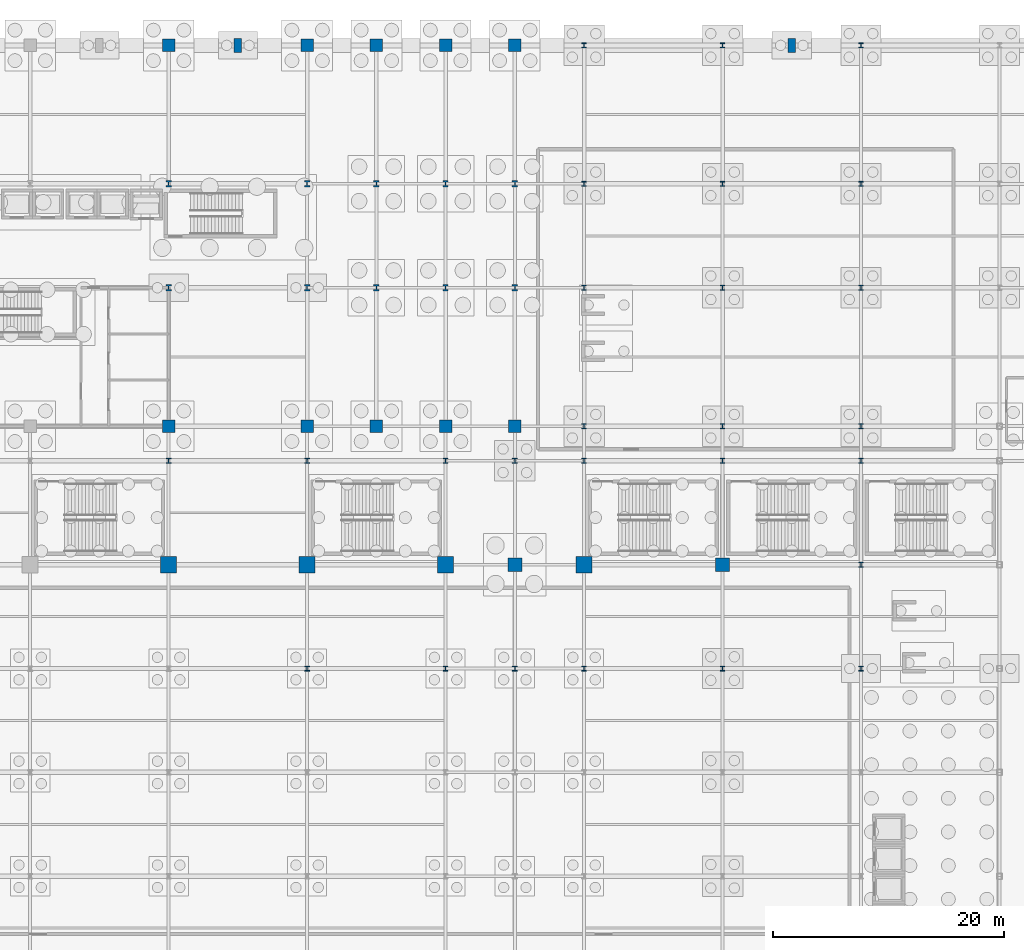
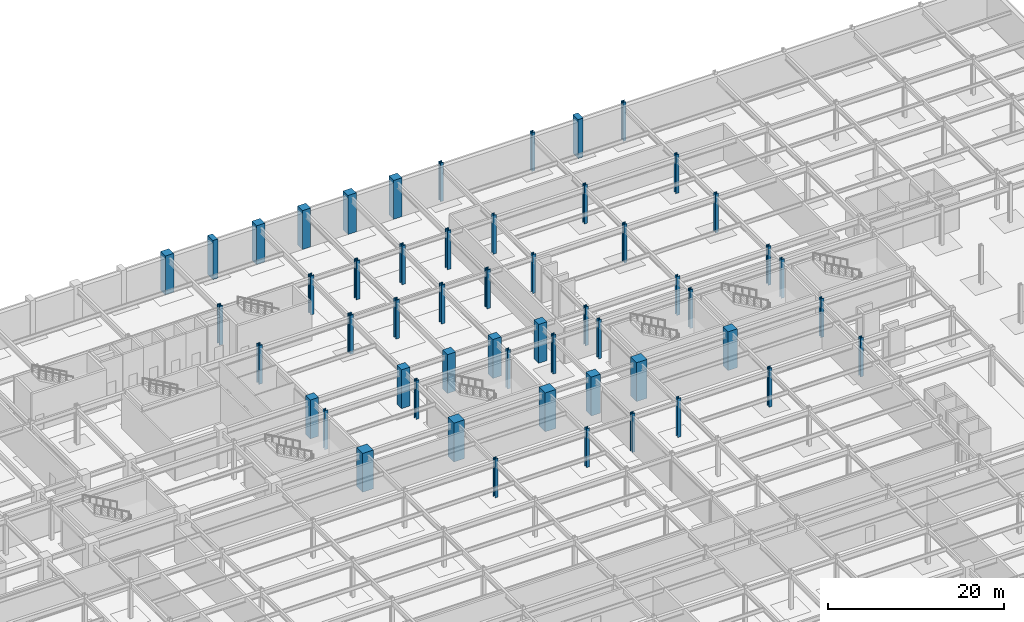
# One storey, part 15 of 47: 54 columns.
"""IFC4 building model written with IfcOpenShell, lengths in metres."""

import ifcopenshell
import ifcopenshell.guid

model = None  # the IFC model being written
_history = None  # IfcOwnerHistory: only IFC2X3 demands one
_inside = {}  # id of a spatial element -> (the spatial element, [elements in it])
_under = {}  # id of a project, library or spatial element -> (it, [spatial elements below it])
_declared = {}  # id of a project -> (the project, [libraries it declares])
_typed = {}  # id of a type object -> (the type object, [elements of that type])
_made_of = {}  # id of a material, layer set ... -> (it, [elements and type objects made of it])


def new_model(schema):
    """Start an empty IFC model of exactly this schema.

    Asked for "IFC4X3", IfcOpenShell would pick the latest addendum, in which some entities
    have other attributes; the version numbers below select the first issue.
    IFC2X3 requires an IfcOwnerHistory on every rooted entity: one is made here for all.
    """
    global model, _history
    if schema == "IFC4X3":
        model = ifcopenshell.file(schema_version=(4, 3, 0, 0))
    else:
        model = ifcopenshell.file(schema=schema)
    _inside.clear()
    _under.clear()
    _declared.clear()
    _typed.clear()
    _made_of.clear()
    _history = None
    if model.schema == "IFC2X3":
        org = make("IfcOrganization", Name="unknown")
        user = make(
            "IfcPersonAndOrganization",
            ThePerson=make("IfcPerson", FamilyName="unknown"),
            TheOrganization=org,
        )
        app = make(
            "IfcApplication",
            ApplicationDeveloper=org,
            Version="unknown",
            ApplicationFullName="unknown",
            ApplicationIdentifier="unknown",
        )
        _history = make(
            "IfcOwnerHistory",
            OwningUser=user,
            OwningApplication=app,
            ChangeAction="ADDED",
            CreationDate=0,
        )
    return model


def make(cls, **values):
    """One entity of the class cls with the attributes given. An attribute that is None is left unset."""
    return model.create_entity(
        cls, **{name: value for name, value in values.items() if value is not None}
    )


def rooted(cls, **values):
    """An entity with a GlobalId (a new one), such as an element, a storey or a relation."""
    return make(cls, GlobalId=ifcopenshell.guid.new(), OwnerHistory=_history, **values)


def si_unit(unit_type, name, prefix=None):
    """IfcSIUnit, for example si_unit("LENGTHUNIT", "METRE", prefix="MILLI")."""
    return make("IfcSIUnit", UnitType=unit_type, Prefix=prefix, Name=name)


def assignment(units):
    """IfcUnitAssignment: the units of a project."""
    return None if units is None else make("IfcUnitAssignment", Units=units)


def point(xyz):
    """IfcCartesianPoint."""
    return None if xyz is None else make("IfcCartesianPoint", Coordinates=xyz)


def direction(xyz):
    """IfcDirection."""
    return None if xyz is None else make("IfcDirection", DirectionRatios=xyz)


def frame(location, z_axis=None, x_axis=None):
    """IfcAxis2Placement3D, a coordinate frame: its origin and axes. An axis left out is left unset."""
    return make(
        "IfcAxis2Placement3D",
        Location=point(location),
        Axis=direction(z_axis),
        RefDirection=direction(x_axis),
    )


def frame_2d(location, x_axis=None):
    """IfcAxis2Placement2D, a coordinate frame in the plane: its origin and x axis."""
    return make(
        "IfcAxis2Placement2D", Location=point(location), RefDirection=direction(x_axis)
    )


def origin():
    """The frame at (0, 0, 0) with its axes left unset."""
    return frame((0.0, 0.0, 0.0))


def origin_2d():
    """The frame at (0, 0) in the plane with its x axis left unset."""
    return frame_2d((0.0, 0.0))


def place(relative_to, where):
    """IfcLocalPlacement: puts the frame where relative to a parent placement (None: the world)."""
    return make(
        "IfcLocalPlacement", PlacementRelTo=relative_to, RelativePlacement=where
    )


def context(
    kind, dimensions, precision=None, world=None, true_north=None, identifier=None
):
    """IfcGeometricRepresentationContext, for example the 3D "Model" context."""
    return make(
        "IfcGeometricRepresentationContext",
        ContextIdentifier=identifier,
        ContextType=kind,
        CoordinateSpaceDimension=dimensions,
        Precision=precision,
        WorldCoordinateSystem=world,
        TrueNorth=true_north,
    )


def subcontext(parent, identifier, kind, view, scale=None):
    """IfcGeometricRepresentationSubContext, for example "Body" below "Model"."""
    return make(
        "IfcGeometricRepresentationSubContext",
        ContextIdentifier=identifier,
        ContextType=kind,
        ParentContext=parent,
        TargetScale=scale,
        TargetView=view,
    )


def project(units=None, contexts=None):
    """IfcProject with its units and contexts."""
    return rooted(
        "IfcProject",
        Name="project",
        RepresentationContexts=contexts,
        UnitsInContext=assignment(units),
    )


def spatial(cls, under=None, at=None, **own):
    """A site, building, storey or space (cls), placed at a placement, below another one or the project."""
    s = rooted(cls, ObjectPlacement=at, **own)
    if under is not None:
        _under.setdefault(under.id(), (under, []))[1].append(s)
    return s


def profile(cls, at=None, kind="AREA", **sizes):
    """A parametric profile (cls). Its sizes go by their IFC names, for example OverallWidth=200.0."""
    return make(cls, ProfileType=kind, Position=at, **sizes)


def rectangle(**sizes):
    """IfcRectangleProfileDef."""
    return profile("IfcRectangleProfileDef", **sizes)


def i_section(**sizes):
    """IfcIShapeProfileDef."""
    return profile("IfcIShapeProfileDef", **sizes)


def extrude(swept, where, along, depth):
    """IfcExtrudedAreaSolid: the profile swept, set in the frame where, extruded along a direction by depth."""
    return make(
        "IfcExtrudedAreaSolid",
        SweptArea=swept,
        Position=where,
        ExtrudedDirection=direction(along),
        Depth=depth,
    )


def shape(context_of_items, identifier, shape_type, items):
    """IfcShapeRepresentation: the items that make up one representation, for example the "Body"."""
    return make(
        "IfcShapeRepresentation",
        ContextOfItems=context_of_items,
        RepresentationIdentifier=identifier,
        RepresentationType=shape_type,
        Items=items,
    )


def material(Name=None, Category=None):
    """IfcMaterial."""
    return make("IfcMaterial", Name=Name, Category=Category)


def material_profile(
    of_material, cross_section, Name=None, Category=None, Priority=None
):
    """IfcMaterialProfile: a cross section and its material."""
    return make(
        "IfcMaterialProfile",
        Name=Name,
        Material=of_material,
        Profile=cross_section,
        Priority=Priority,
        Category=Category,
    )


def profile_set(profiles, Name=None, composite=None):
    """IfcMaterialProfileSet."""
    return make(
        "IfcMaterialProfileSet",
        Name=Name,
        MaterialProfiles=profiles,
        CompositeProfile=composite,
    )


def made_of(thing, what):
    """Note that an element or type object is made of a material, layer set ...; save() writes the relation."""
    if what is not None:
        _made_of.setdefault(what.id(), (what, []))[1].append(thing)
    return thing


def type_object(cls, material=None, **own):
    """A type object (cls), such as IfcWallType, which elements share."""
    return made_of(rooted(cls, **own), material)


def element(
    cls,
    number,
    at=None,
    inside=None,
    cuts=None,
    type_object=None,
    material=None,
    context=None,
    identifier="Body",
    shape_type=None,
    held_by="IfcProductDefinitionShape",
    body=None,
    shapes=None,
    **own,
):
    """One element of the class cls, such as IfcWall. Its Tag is "e" and its number.

    at: its placement. inside: the storey or other place that contains it. cuts: it is an
    opening in that element (IfcRelVoidsElement). A single representation is given by context,
    identifier, shape_type and body (its items); several are given by shapes. held_by: the class
    of the entity that holds the representations. save() writes the other relations.
    """
    e = rooted(cls, Tag="e%d" % number, ObjectPlacement=at, **own)
    if body is not None:
        shapes = [shape(context, identifier, shape_type, body)]
    if shapes is not None:
        e.Representation = make(held_by, Representations=shapes)
    if inside is not None:
        _inside.setdefault(inside.id(), (inside, []))[1].append(e)
    if cuts is not None:
        rooted(
            "IfcRelVoidsElement", RelatingBuildingElement=cuts, RelatedOpeningElement=e
        )
    if type_object is not None:
        _typed.setdefault(type_object.id(), (type_object, []))[1].append(e)
    return made_of(e, material)


def aggregate(whole, parts):
    """IfcRelAggregates: a whole, such as a stair, and the parts it consists of."""
    return rooted("IfcRelAggregates", RelatingObject=whole, RelatedObjects=parts)


def save(model, path):
    """Write the relations noted so far, then the file.

    IfcRelAggregates (storeys below a building ...), IfcRelContainedInSpatialStructure (elements
    in a storey), IfcRelDefinesByType, IfcRelAssociatesMaterial and IfcRelDeclares: one each for
    every whole, place, type object, material and project.
    """
    for whole, parts in _under.values():
        aggregate(whole, parts)
    for where, things in _inside.values():
        rooted(
            "IfcRelContainedInSpatialStructure",
            RelatedElements=things,
            RelatingStructure=where,
        )
    for kind, things in _typed.values():
        rooted("IfcRelDefinesByType", RelatedObjects=things, RelatingType=kind)
    for what, things in _made_of.values():
        rooted("IfcRelAssociatesMaterial", RelatedObjects=things, RelatingMaterial=what)
    for by, libraries in _declared.values():
        rooted("IfcRelDeclares", RelatingContext=by, RelatedDefinitions=libraries)
    model.write(path)


model = new_model("IFC4")

# Units and contexts
model_context = context("Model", 3, precision=1e-05, world=origin(), true_north=direction((0.0, 1.0)))
body_context = subcontext(model_context, "Body", "Model", "MODEL_VIEW")
ifc_project = project(units=[si_unit("LENGTHUNIT", "METRE"), si_unit("AREAUNIT", "SQUARE_METRE"), si_unit("VOLUMEUNIT", "CUBIC_METRE"), si_unit("PLANEANGLEUNIT", "RADIAN"), si_unit("MASSUNIT", "GRAM", prefix="KILO")], contexts=[model_context])

# Site, building, storey
site_placement = place(None, origin())
site = spatial("IfcSite", under=ifc_project, at=site_placement, CompositionType="ELEMENT")
building_placement = place(site_placement, origin())
building = spatial("IfcBuilding", under=site, at=building_placement, Name="Kaldorvane Square Convention Centre", CompositionType="ELEMENT")
storey_placement = place(building_placement, frame((0.0, 0.0, -5.399993896484375)))
storey = spatial("IfcBuildingStorey", under=building, at=storey_placement, Name="B01", CompositionType="ELEMENT", Elevation=-5.399993896484375)

# Columns
ifc_material_1 = material(Name="Concrete f'c = 55 MPa (Normalweight)", Category="concrete")
ifc_material_profile_1 = material_profile(ifc_material_1, rectangle(XDim=1.1999969482421875, YDim=1.1999969482421875, at=origin_2d()), Name="RC1200X1200")
ifc_profile_set_1 = profile_set([ifc_material_profile_1], Name="Concrete f'c = 55 MPa (Normalweight)")
column_type_1 = type_object("IfcColumnType", Name="COL-MEGA-1200", PredefinedType="COLUMN", material=ifc_profile_set_1)
for number, where, z_axis, x_axis, name in (
    (1, (96.0, 72.0, 0.0), (0.0, 0.0, 1.0), (1.0, 0.0, 0.0), "Column MC-02 (B01)"),
    (2, (114.0, 72.0, 0.0), (0.0, 0.0, 1.0), (1.0, 0.0, 0.0), "Column MC-02 (B01)"),
):
    element("IfcColumn", number, at=place(storey_placement, frame(where, z_axis=z_axis, x_axis=x_axis)), inside=storey, type_object=column_type_1, Name=name, PredefinedType="COLUMN", context=body_context, shape_type="SweptSolid", body=[
        extrude(rectangle(XDim=1.1999969482421875, YDim=1.1999969482421875, at=origin_2d()), origin(), (0.0, 0.0, 1.0), 5.399993896484375),
    ])
ifc_material_profile_2 = material_profile(ifc_material_1, rectangle(XDim=1.399993896484375, YDim=1.399993896484375, at=origin_2d()), Name="RC1400X1400")
ifc_profile_set_2 = profile_set([ifc_material_profile_2], Name="Concrete f'c = 55 MPa (Normalweight)")
column_type_2 = type_object("IfcColumnType", Name="COL-MEGA-1400", PredefinedType="COLUMN", material=ifc_profile_set_2)
for number, where, z_axis, x_axis, name in (
    (3, (66.0, 72.0, 0.0), (0.0, 0.0, 1.0), (1.0, 0.0, 0.0), "Column MC-01 (B01)"),
    (4, (78.0, 72.0, 0.0), (0.0, 0.0, 1.0), (1.0, 0.0, 0.0), "Column MC-01 (B01)"),
    (5, (90.0, 72.0, 0.0), (0.0, 0.0, 1.0), (1.0, 0.0, 0.0), "Column MC-01 (B01)"),
    (6, (102.0, 72.0, 0.0), (0.0, 0.0, 1.0), (1.0, 0.0, 0.0), "Column MC-01 (B01)"),
):
    element("IfcColumn", number, at=place(storey_placement, frame(where, z_axis=z_axis, x_axis=x_axis)), inside=storey, type_object=column_type_2, Name=name, PredefinedType="COLUMN", context=body_context, shape_type="SweptSolid", body=[
        extrude(rectangle(XDim=1.399993896484375, YDim=1.399993896484375, at=origin_2d()), origin(), (0.0, 0.0, 1.0), 5.399993896484375),
    ])
ifc_material_profile_3 = material_profile(ifc_material_1, rectangle(XDim=1.100006103515625, YDim=1.100006103515625, at=origin_2d()), Name="RC1100X1100")
ifc_profile_set_3 = profile_set([ifc_material_profile_3], Name="Concrete f'c = 55 MPa (Normalweight)")
column_type_3 = type_object("IfcColumnType", Name="COL-RC-1100", PredefinedType="COLUMN", material=ifc_profile_set_3)
for number, where, z_axis, x_axis, name in (
    (7, (66.0, 84.0, 0.0), (0.0, 0.0, 1.0), (1.0, 0.0, 0.0), "Column CC-01 (B01)"),
    (8, (66.0, 117.0, 0.0), (0.0, 0.0, 1.0), (1.0, 0.0, 0.0), "Column CC-01 (B01)"),
    (9, (78.0, 84.0, 0.0), (0.0, 0.0, 1.0), (1.0, 0.0, 0.0), "Column CC-01 (B01)"),
    (10, (78.0, 117.0, 0.0), (0.0, 0.0, 1.0), (1.0, 0.0, 0.0), "Column CC-01 (B01)"),
    (11, (84.0, 84.0, 0.0), (0.0, 0.0, 1.0), (1.0, 0.0, 0.0), "Column CC-01 (B01)"),
    (12, (84.0, 117.0, 0.0), (0.0, 0.0, 1.0), (1.0, 0.0, 0.0), "Column CC-01 (B01)"),
    (13, (90.0, 84.0, 0.0), (0.0, 0.0, 1.0), (1.0, 0.0, 0.0), "Column CC-01 (B01)"),
    (14, (90.0, 117.0, 0.0), (0.0, 0.0, 1.0), (1.0, 0.0, 0.0), "Column CC-01 (B01)"),
    (15, (96.0, 84.0, 0.0), (0.0, 0.0, 1.0), (1.0, 0.0, 0.0), "Column CC-01 (B01)"),
    (16, (96.0, 117.0, 0.0), (0.0, 0.0, 1.0), (1.0, 0.0, 0.0), "Column CC-01 (B01)"),
):
    element("IfcColumn", number, at=place(storey_placement, frame(where, z_axis=z_axis, x_axis=x_axis)), inside=storey, type_object=column_type_3, Name=name, PredefinedType="COLUMN", context=body_context, shape_type="SweptSolid", body=[
        extrude(rectangle(XDim=1.100006103515625, YDim=1.100006103515625, at=origin_2d()), origin(), (0.0, 0.0, 1.0), 5.399993896484375),
    ])
ifc_material_2 = material(Name="Steel ASTM A992 Gr. 50", Category="steel")
ifc_material_profile_4 = material_profile(ifc_material_2, i_section(OverallWidth=0.412200927734375, OverallDepth=0.4347991943359375, WebThickness=0.035797119140625, FlangeThickness=0.057403564453125, FilletRadius=0.0305023193359375, at=origin_2d()), Name="W14X311")
ifc_profile_set_4 = profile_set([ifc_material_profile_4], Name="Steel ASTM A992 Gr. 50")
column_type_4 = type_object("IfcColumnType", Name="COL-STL-311", PredefinedType="COLUMN", material=ifc_profile_set_4)
for number, where, z_axis, x_axis, name in (
    (17, (66.0, 81.0, 0.0), (0.0, 0.0, 1.0), (1.0, 0.0, 0.0), "Column SC-06 (B01)"),
    (18, (78.0, 63.0, 0.0), (0.0, 0.0, 1.0), (1.0, 0.0, 0.0), "Column SC-06 (B01)"),
    (19, (78.0, 81.0, 0.0), (0.0, 0.0, 1.0), (1.0, 0.0, 0.0), "Column SC-06 (B01)"),
    (20, (90.0, 63.0, 0.0), (0.0, 0.0, 1.0), (1.0, 0.0, 0.0), "Column SC-06 (B01)"),
    (21, (90.0, 81.0, 0.0), (0.0, 0.0, 1.0), (1.0, 0.0, 0.0), "Column SC-06 (B01)"),
    (22, (96.0, 63.0, 0.0), (0.0, 0.0, 1.0), (1.0, 0.0, 0.0), "Column SC-06 (B01)"),
    (23, (96.0, 81.0, 0.0), (0.0, 0.0, 1.0), (1.0, 0.0, 0.0), "Column SC-06 (B01)"),
    (24, (102.0, 63.0, 0.0), (0.0, 0.0, 1.0), (1.0, 0.0, 0.0), "Column SC-06 (B01)"),
    (25, (102.0, 81.0, 0.0), (0.0, 0.0, 1.0), (1.0, 0.0, 0.0), "Column SC-06 (B01)"),
    (26, (102.0, 84.0, 0.0), (0.0, 0.0, 1.0), (1.0, 0.0, 0.0), "Column SC-06 (B01)"),
    (27, (102.0, 96.0, 0.0), (0.0, 0.0, 1.0), (1.0, 0.0, 0.0), "Column SC-06 (B01)"),
    (28, (102.0, 105.0, 0.0), (0.0, 0.0, 1.0), (1.0, 0.0, 0.0), "Column SC-06 (B01)"),
    (29, (102.0, 117.0, 0.0), (0.0, 0.0, 1.0), (1.0, 0.0, 0.0), "Column SC-06 (B01)"),
    (30, (114.0, 63.0, 0.0), (0.0, 0.0, 1.0), (1.0, 0.0, 0.0), "Column SC-06 (B01)"),
    (31, (114.0, 81.0, 0.0), (0.0, 0.0, 1.0), (1.0, 0.0, 0.0), "Column SC-06 (B01)"),
    (32, (114.0, 84.0, 0.0), (0.0, 0.0, 1.0), (1.0, 0.0, 0.0), "Column SC-06 (B01)"),
    (33, (114.0, 96.0, 0.0), (0.0, 0.0, 1.0), (1.0, 0.0, 0.0), "Column SC-06 (B01)"),
    (34, (114.0, 105.0, 0.0), (0.0, 0.0, 1.0), (1.0, 0.0, 0.0), "Column SC-06 (B01)"),
    (35, (114.0, 117.0, 0.0), (0.0, 0.0, 1.0), (1.0, 0.0, 0.0), "Column SC-06 (B01)"),
    (36, (126.0, 63.0, 0.0), (0.0, 0.0, 1.0), (1.0, 0.0, 0.0), "Column SC-06 (B01)"),
    (37, (126.0, 72.0, 0.0), (0.0, 0.0, 1.0), (1.0, 0.0, 0.0), "Column SC-06 (B01)"),
    (38, (126.0, 81.0, 0.0), (0.0, 0.0, 1.0), (1.0, 0.0, 0.0), "Column SC-06 (B01)"),
    (39, (126.0, 84.0, 0.0), (0.0, 0.0, 1.0), (1.0, 0.0, 0.0), "Column SC-06 (B01)"),
    (40, (126.0, 96.0, 0.0), (0.0, 0.0, 1.0), (1.0, 0.0, 0.0), "Column SC-06 (B01)"),
    (41, (126.0, 105.0, 0.0), (0.0, 0.0, 1.0), (1.0, 0.0, 0.0), "Column SC-06 (B01)"),
    (42, (126.0, 117.0, 0.0), (0.0, 0.0, 1.0), (1.0, 0.0, 0.0), "Column SC-06 (B01)"),
):
    element("IfcColumn", number, at=place(storey_placement, frame(where, z_axis=z_axis, x_axis=x_axis)), inside=storey, type_object=column_type_4, Name=name, PredefinedType="COLUMN", context=body_context, shape_type="SweptSolid", body=[
        extrude(i_section(OverallWidth=0.412200927734375, OverallDepth=0.4347991943359375, WebThickness=0.035797119140625, FlangeThickness=0.057403564453125, FilletRadius=0.0305023193359375, at=origin_2d()), origin(), (0.0, 0.0, 1.0), 5.399993896484375),
    ])
ifc_material_profile_5 = material_profile(ifc_material_2, i_section(OverallWidth=0.45440673828125, OverallDepth=0.569000244140625, WebThickness=0.0780029296875, FlangeThickness=0.12469482421875, FilletRadius=0.0305023193359375, at=origin_2d()), Name="W14X730")
ifc_profile_set_5 = profile_set([ifc_material_profile_5], Name="Steel ASTM A992 Gr. 50")
column_type_5 = type_object("IfcColumnType", Name="COL-STL-730", PredefinedType="COLUMN", material=ifc_profile_set_5)
for number, where, z_axis, x_axis, name in (
    (43, (66.0, 96.0, 0.0), (0.0, 0.0, 1.0), (1.0, 0.0, 0.0), "Column SC-01 (B01)"),
    (44, (66.0, 105.0, 0.0), (0.0, 0.0, 1.0), (1.0, 0.0, 0.0), "Column SC-01 (B01)"),
    (45, (78.0, 96.0, 0.0), (0.0, 0.0, 1.0), (1.0, 0.0, 0.0), "Column SC-01 (B01)"),
    (46, (78.0, 105.0, 0.0), (0.0, 0.0, 1.0), (1.0, 0.0, 0.0), "Column SC-01 (B01)"),
    (47, (84.0, 96.0, 0.0), (0.0, 0.0, 1.0), (1.0, 0.0, 0.0), "Column SC-01 (B01)"),
    (48, (84.0, 105.0, 0.0), (0.0, 0.0, 1.0), (1.0, 0.0, 0.0), "Column SC-01 (B01)"),
    (49, (90.0, 96.0, 0.0), (0.0, 0.0, 1.0), (1.0, 0.0, 0.0), "Column SC-01 (B01)"),
    (50, (90.0, 105.0, 0.0), (0.0, 0.0, 1.0), (1.0, 0.0, 0.0), "Column SC-01 (B01)"),
    (51, (96.0, 96.0, 0.0), (0.0, 0.0, 1.0), (1.0, 0.0, 0.0), "Column SC-01 (B01)"),
    (52, (96.0, 105.0, 0.0), (0.0, 0.0, 1.0), (1.0, 0.0, 0.0), "Column SC-01 (B01)"),
):
    element("IfcColumn", number, at=place(storey_placement, frame(where, z_axis=z_axis, x_axis=x_axis)), inside=storey, type_object=column_type_5, Name=name, PredefinedType="COLUMN", context=body_context, shape_type="SweptSolid", body=[
        extrude(i_section(OverallWidth=0.45440673828125, OverallDepth=0.569000244140625, WebThickness=0.0780029296875, FlangeThickness=0.12469482421875, FilletRadius=0.0305023193359375, at=origin_2d()), origin(), (0.0, 0.0, 1.0), 5.399993896484375),
    ])
ifc_material_profile_6 = material_profile(ifc_material_1, rectangle(XDim=0.649993896484375, YDim=1.1999969482421875, at=origin_2d()), Name="PIL1200X650")
ifc_profile_set_6 = profile_set([ifc_material_profile_6], Name="Concrete f'c = 55 MPa (Normalweight)")
column_type_6 = type_object("IfcColumnType", Name="PIL-BRUT-1200", PredefinedType="PILASTER", material=ifc_profile_set_6)
for number, where, z_axis, x_axis, name in (
    (53, (72.0, 117.0, 0.0), (0.0, 0.0, 1.0), (1.0, 0.0, 0.0), "Brutalist Colonnade Pilaster (B01)"),
    (54, (120.0, 117.0, 0.0), (0.0, 0.0, 1.0), (1.0, 0.0, 0.0), "Brutalist Colonnade Pilaster (B01)"),
):
    element("IfcColumn", number, at=place(storey_placement, frame(where, z_axis=z_axis, x_axis=x_axis)), inside=storey, type_object=column_type_6, Name=name, PredefinedType="PILASTER", context=body_context, shape_type="SweptSolid", body=[
        extrude(rectangle(XDim=0.649993896484375, YDim=1.1999969482421875, at=origin_2d()), origin(), (0.0, 0.0, 1.0), 5.399993896484375),
    ])

save(model, "model.ifc")
